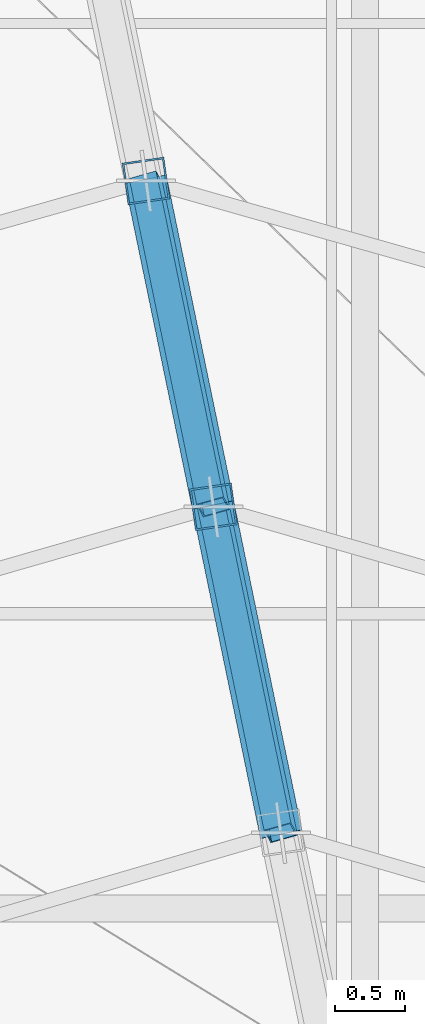
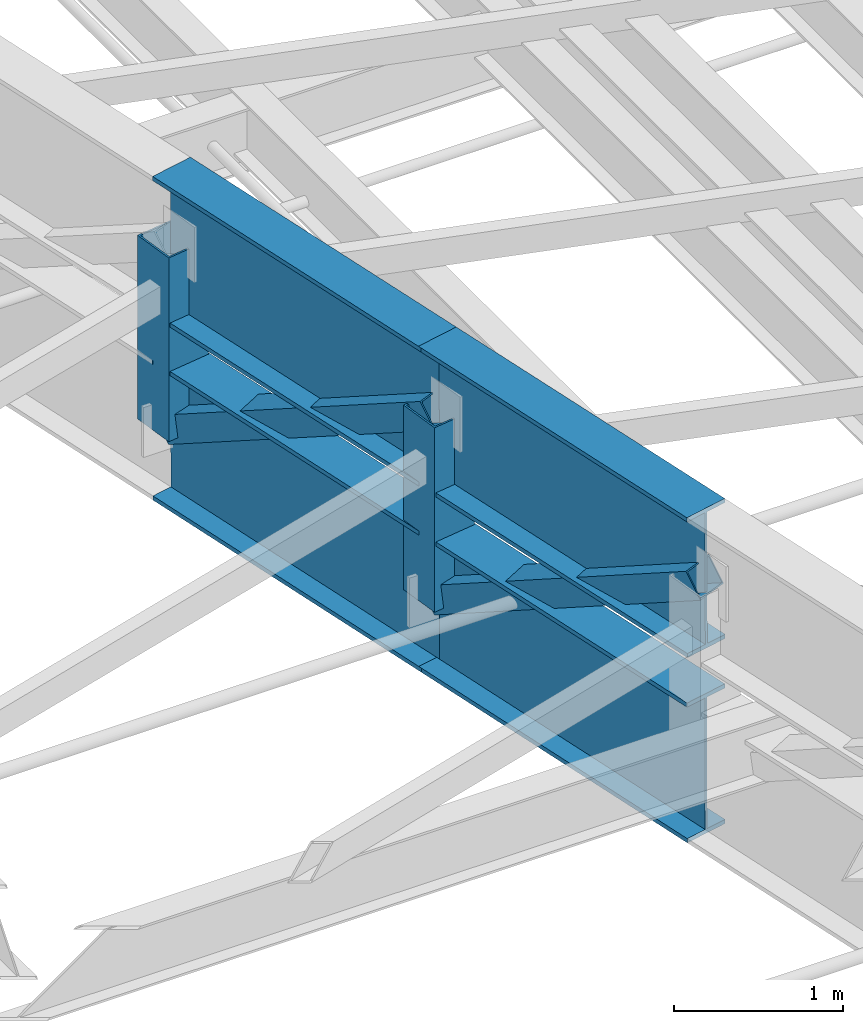
# One storey, part 108 of 184: 4 beams, 4 members.
"""IFC4 building model written with IfcOpenShell, lengths in metres."""

from ifc_helpers import new_model, si_unit, direction, frame, origin, origin_2d, place, context, subcontext, project, spatial, hollow_rectangle, i_section, extrude, material, material_profile, profile_set, type_object, element, save


model = new_model("IFC4")

# Units and contexts
model_context = context("Model", 3, precision=1e-05, world=origin(), true_north=direction((0.0, 1.0)))
body_context = subcontext(model_context, "Body", "Model", "MODEL_VIEW")
ifc_project = project(units=[si_unit("LENGTHUNIT", "METRE"), si_unit("AREAUNIT", "SQUARE_METRE"), si_unit("VOLUMEUNIT", "CUBIC_METRE"), si_unit("PLANEANGLEUNIT", "RADIAN"), si_unit("MASSUNIT", "GRAM", prefix="KILO")], contexts=[model_context])

# Site, building, storey
site_placement = place(None, origin())
site = spatial("IfcSite", under=ifc_project, at=site_placement, CompositionType="ELEMENT")
building_placement = place(site_placement, origin())
building = spatial("IfcBuilding", under=site, at=building_placement, Name="Kalgoora Escarpment Arena", CompositionType="ELEMENT")
storey_placement = place(building_placement, frame((0.0, 0.0, 27.60009765625)))
storey = spatial("IfcBuildingStorey", under=building, at=storey_placement, Name="Roof Level", CompositionType="ELEMENT", Elevation=27.60009765625)

# Beams
ifc_material_1 = material(Name="Structural steel Grade 350 (350 MPa)", Category="steel")
ifc_material_profile_1 = material_profile(ifc_material_1, i_section(OverallWidth=0.300048828125, OverallDepth=1.010009765625, WebThickness=0.01611328125, FlangeThickness=0.030029296875, at=origin_2d()))
ifc_profile_set_1 = profile_set([ifc_material_profile_1], Name="Structural steel Grade 350 (350 MPa)")
beam_type = type_object("IfcBeamType", Name="BM-TRUSS-CHORD", PredefinedType="USERDEFINED", material=ifc_profile_set_1)
for number, where, z_axis, x_axis, name in (
    (1, (95.277587890625, 79.69189453125, -1.6201171875), (0.202584900678, -0.979262359773, 0.002142136412), (0.979264606575, 0.202585365485, 0.0), "Radial ROOF TRUSS spine 3 bottom chord 8"),
    (2, (95.277587890625, 79.69189453125, -0.2900390625), (0.202583593754, -0.979256042318, 0.004182239347), (0.979264606575, 0.202585365485, 0.0), "Radial ROOF TRUSS spine 3 top chord 8"),
):
    element("IfcBeam", number, at=place(storey_placement, frame(where, z_axis=z_axis, x_axis=x_axis)), inside=storey, type_object=beam_type, Name=name, ObjectType="GIRDER", PredefinedType="USERDEFINED", context=body_context, shape_type="SweptSolid", body=[
        extrude(i_section(OverallWidth=0.300048828125, OverallDepth=1.010009765625, WebThickness=0.01611328125, FlangeThickness=0.030029296875, at=origin_2d()), origin(), (0.0, 0.0, 1.0), 2.393310546875),
    ])
for number, where, z_axis, x_axis, name in (
    (3, (95.757568359375, 77.371826171875, -1.614990234375), (0.202605182316, -0.979258381192, 0.002040334162), (0.979260419507, 0.202605604036, 0.0), "Radial ROOF TRUSS spine 3 bottom chord 9"),
    (4, (95.757568359375, 77.371826171875, -0.280029296875), (0.202603831774, -0.979251853575, 0.004182657151), (0.979260419507, 0.202605604036, 0.0), "Radial ROOF TRUSS spine 3 top chord 9"),
):
    element("IfcBeam", number, at=place(storey_placement, frame(where, z_axis=z_axis, x_axis=x_axis)), inside=storey, type_object=beam_type, Name=name, ObjectType="GIRDER", PredefinedType="USERDEFINED", context=body_context, shape_type="SweptSolid", body=[
        extrude(i_section(OverallWidth=0.300048828125, OverallDepth=1.010009765625, WebThickness=0.01611328125, FlangeThickness=0.030029296875, at=origin_2d()), origin(), (0.0, 0.0, 1.0), 2.39306640625),
    ])

# Members
ifc_material_2 = material(Name="Structural steel C350 (350 MPa)", Category="steel")
ifc_material_profile_2 = material_profile(ifc_material_2, hollow_rectangle(XDim=0.199951171875, YDim=0.199951171875, WallThickness=0.009033203125, at=origin_2d()))
ifc_profile_set_2 = profile_set([ifc_material_profile_2], Name="Structural steel C350 (350 MPa)")
member_type_1 = type_object("IfcMemberType", Name="MEM-TRUSS-DIAG", PredefinedType="BRACE", material=ifc_profile_set_2)
member_1_placement = place(storey_placement, frame((95.280029296875, 79.679931640625, -1.6201171875), z_axis=(0.176351397577, -0.852335188087, 0.492366643592), x_axis=(0.237243393222, -0.448655331993, -0.861640276129)))
element("IfcMember", 5, at=member_1_placement, inside=storey, type_object=member_type_1, Name="Radial ROOF TRUSS spine 3 web diagonal 8", PredefinedType="BRACE", context=body_context, shape_type="SweptSolid", body=[
    extrude(hollow_rectangle(XDim=0.199951171875, YDim=0.199951171875, WallThickness=0.009033203125, at=origin_2d()), origin(), (0.0, 0.0, 1.0), 2.7216796875),
])
member_2_placement = place(storey_placement, frame((95.760009765625, 77.360107421875, -1.614990234375), z_axis=(0.176182100968, -0.851606564344, 0.493686263598), x_axis=(0.237498683344, -0.449939553112, -0.860899979066)))
element("IfcMember", 6, at=member_2_placement, inside=storey, type_object=member_type_1, Name="Radial ROOF TRUSS spine 3 web diagonal 9", PredefinedType="BRACE", context=body_context, shape_type="SweptSolid", body=[
    extrude(hollow_rectangle(XDim=0.199951171875, YDim=0.199951171875, WallThickness=0.009033203125, at=origin_2d()), origin(), (0.0, 0.0, 1.0), 2.724365234375),
])
ifc_material_3 = material(Name="Structural steel C450 (450 MPa)", Category="steel")
ifc_material_profile_3 = material_profile(ifc_material_3, hollow_rectangle(XDim=0.300048828125, YDim=0.300048828125, WallThickness=0.012451171875, at=origin_2d()))
ifc_profile_set_3 = profile_set([ifc_material_profile_3], Name="Structural steel C450 (450 MPa)")
member_type_2 = type_object("IfcMemberType", Name="MEM-TRUSS-POST", PredefinedType="POST", material=ifc_profile_set_3)
member_3_placement = place(storey_placement, frame((95.280029296875, 79.679931640625, -1.6201171875), z_axis=(0.0, 0.0, 1.0), x_axis=(0.141419587774, -0.989949746297, 0.0)))
element("IfcMember", 7, at=member_3_placement, inside=storey, type_object=member_type_2, Name="Radial ROOF TRUSS spine 3 post 7", PredefinedType="POST", context=body_context, shape_type="SweptSolid", body=[
    extrude(hollow_rectangle(XDim=0.300048828125, YDim=0.300048828125, WallThickness=0.012451171875, at=origin_2d()), origin(), (0.0, 0.0, 1.0), 1.330078125),
])
member_4_placement = place(storey_placement, frame((95.760009765625, 77.360107421875, -1.614990234375), z_axis=(0.0, 0.0, 1.0), x_axis=(0.141419587774, -0.989949746297, 0.0)))
element("IfcMember", 8, at=member_4_placement, inside=storey, type_object=member_type_2, Name="Radial ROOF TRUSS spine 3 post 8", PredefinedType="POST", context=body_context, shape_type="SweptSolid", body=[
    extrude(hollow_rectangle(XDim=0.300048828125, YDim=0.300048828125, WallThickness=0.012451171875, at=origin_2d()), origin(), (0.0, 0.0, 1.0), 1.3349609375),
])

save(model, "model.ifc")
